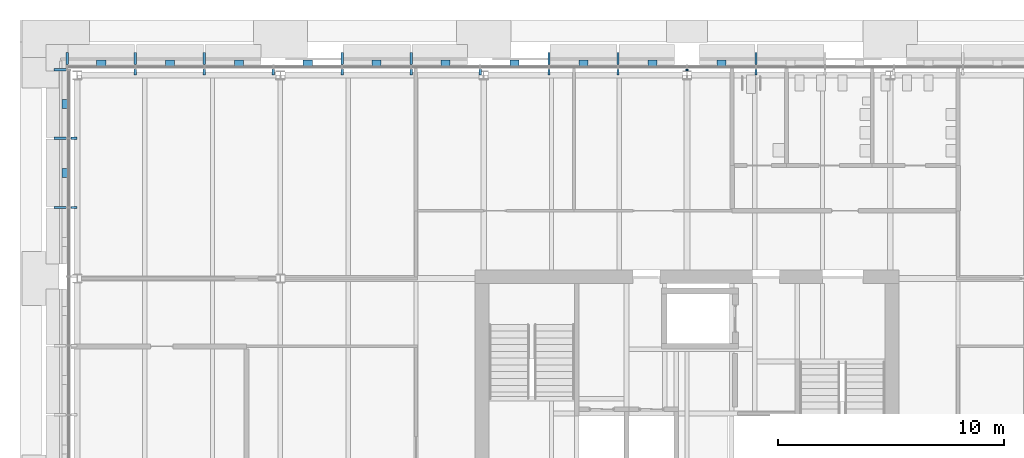
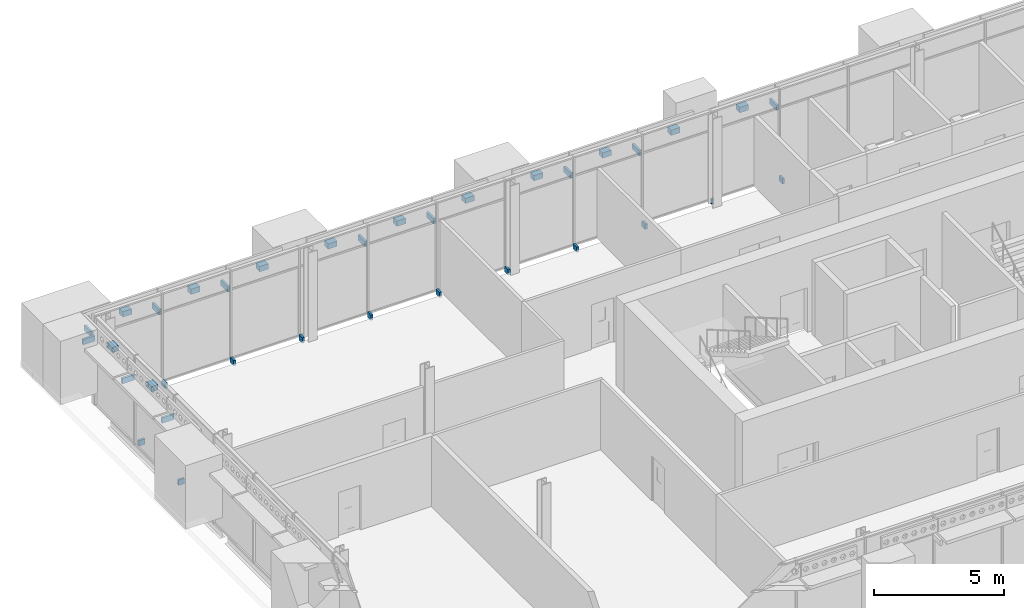
# One storey, part 135 of 153: 35 discrete accessories.
"""IFC4 building model written with IfcOpenShell, lengths in metres."""

from ifc_helpers import new_model, si_unit, direction, frame, origin, origin_2d, place, context, subcontext, project, spatial, rectangle, extrude, material, type_object, element, save


model = new_model("IFC4")

# Units and contexts
model_context = context("Model", 3, precision=1e-05, world=origin(), true_north=direction((0.0, 1.0)))
body_context = subcontext(model_context, "Body", "Model", "MODEL_VIEW")
ifc_project = project(units=[si_unit("LENGTHUNIT", "METRE"), si_unit("AREAUNIT", "SQUARE_METRE"), si_unit("VOLUMEUNIT", "CUBIC_METRE"), si_unit("PLANEANGLEUNIT", "RADIAN"), si_unit("MASSUNIT", "GRAM", prefix="KILO")], contexts=[model_context])

# Site, building, storey
site_placement = place(None, origin())
site = spatial("IfcSite", under=ifc_project, at=site_placement, CompositionType="ELEMENT")
building_placement = place(site_placement, origin())
building = spatial("IfcBuilding", under=site, at=building_placement, Name="Baradari Gate Terminus", CompositionType="ELEMENT")
storey_placement = place(building_placement, frame((0.0, 0.0, 11.699951171875)))
storey = spatial("IfcBuildingStorey", under=building, at=storey_placement, Name="L02", CompositionType="ELEMENT", Elevation=11.699951171875)

# Discrete accessories
ifc_material_1 = material(Name="Steel S275", Category="steel")
discrete_accessory_type_1 = type_object("IfcDiscreteAccessoryType", Name="Chhajja bracket BK-3 galvanised steel", PredefinedType="BRACKET", material=ifc_material_1)
for number, where, z_axis, x_axis, name in (
    (1, (8.5625, 144.739990234375, 3.08251953125), (0.0, 0.0, 1.0), (0.0, 1.0, 0.0), "Chhajja bracket BK-3 L02/TN mullion 1"),
    (2, (11.582275390625, 144.739990234375, 3.08251953125), (0.0, 0.0, 1.0), (0.0, 1.0, 0.0), "Chhajja bracket BK-3 L02/TN mullion 2"),
    (3, (14.634521484375, 144.739990234375, 3.08251953125), (0.0, 0.0, 1.0), (0.0, 1.0, 0.0), "Chhajja bracket BK-3 L02/TN mullion 3"),
    (4, (20.73876953125, 144.739990234375, 3.08251953125), (0.0, 0.0, 1.0), (0.0, 1.0, 0.0), "Chhajja bracket BK-3 L02/TN mullion 5"),
    (5, (23.791015625, 144.739990234375, 3.08251953125), (0.0, 0.0, 1.0), (0.0, 1.0, 0.0), "Chhajja bracket BK-3 L02/TN mullion 6"),
    (6, (29.8955078125, 144.739990234375, 3.08251953125), (0.0, 0.0, 1.0), (0.0, 1.0, 0.0), "Chhajja bracket BK-3 L02/TN mullion 8"),
    (7, (32.94775390625, 144.739990234375, 3.08251953125), (0.0, 0.0, 1.0), (0.0, 1.0, 0.0), "Chhajja bracket BK-3 L02/TN mullion 9"),
    (8, (39.05224609375, 144.739990234375, 3.08251953125), (0.0, 0.0, 1.0), (0.0, 1.0, 0.0), "Chhajja bracket BK-3 L02/TN mullion 11"),
    (9, (8.260009765625, 138.14990234375, 3.08251953125), (0.0, 0.0, 1.0), (-1.0, 0.0, 0.0), "Chhajja bracket BK-3 L02/TW mullion 8"),
    (10, (8.260009765625, 141.2099609375, 3.08251953125), (0.0, 0.0, 1.0), (-1.0, 0.0, 0.0), "Chhajja bracket BK-3 L02/TW mullion 9"),
    (11, (8.260009765625, 144.237548828125, 3.08251953125), (0.0, 0.0, 1.0), (-1.0, 0.0, 0.0), "Chhajja bracket BK-3 L02/TW mullion 10"),
):
    element("IfcDiscreteAccessory", number, at=place(storey_placement, frame(where, z_axis=z_axis, x_axis=x_axis)), inside=storey, type_object=discrete_accessory_type_1, Name=name, PredefinedType="BRACKET", context=body_context, shape_type="SweptSolid", body=[
        extrude(rectangle(XDim=0.5400390625, YDim=0.10009765625, at=origin_2d()), origin(), (0.0, 0.0, 1.0), 0.25),
    ])
ifc_material_2 = material(Name="Aluminium 6063-T6", Category="aluminium")
discrete_accessory_type_2 = type_object("IfcDiscreteAccessoryType", Name="Curtain wall bracket BK-1 100x250", PredefinedType="BRACKET", material=ifc_material_2)
for number, where, z_axis, x_axis, name in (
    (12, (11.582275390625, 144.135009765625, -0.099853515625), (0.0, 0.0, 1.0), (0.0, 1.0, 0.0), "Curtain wall bracket BK-1 L02/TN mullion 2"),
    (13, (14.634521484375, 144.135009765625, -0.099853515625), (0.0, 0.0, 1.0), (0.0, 1.0, 0.0), "Curtain wall bracket BK-1 L02/TN mullion 3"),
    (14, (17.686767578125, 144.135009765625, -0.099853515625), (0.0, 0.0, 1.0), (0.0, 1.0, 0.0), "Curtain wall bracket BK-1 L02/TN mullion 4"),
    (15, (20.73876953125, 144.135009765625, -0.099853515625), (0.0, 0.0, 1.0), (0.0, 1.0, 0.0), "Curtain wall bracket BK-1 L02/TN mullion 5"),
    (16, (23.791015625, 144.135009765625, -0.099853515625), (0.0, 0.0, 1.0), (0.0, 1.0, 0.0), "Curtain wall bracket BK-1 L02/TN mullion 6"),
    (17, (26.84326171875, 144.135009765625, -0.099853515625), (0.0, 0.0, 1.0), (0.0, 1.0, 0.0), "Curtain wall bracket BK-1 L02/TN mullion 7"),
    (18, (29.8955078125, 144.135009765625, -0.099853515625), (0.0, 0.0, 1.0), (0.0, 1.0, 0.0), "Curtain wall bracket BK-1 L02/TN mullion 8"),
    (19, (32.94775390625, 144.135009765625, -0.099853515625), (0.0, 0.0, 1.0), (0.0, 1.0, 0.0), "Curtain wall bracket BK-1 L02/TN mullion 9"),
):
    element("IfcDiscreteAccessory", number, at=place(storey_placement, frame(where, z_axis=z_axis, x_axis=x_axis)), inside=storey, type_object=discrete_accessory_type_2, Name=name, PredefinedType="BRACKET", context=body_context, shape_type="SweptSolid", body=[
        extrude(rectangle(XDim=0.27001953125, YDim=0.10009765625, at=origin_2d()), origin(), (0.0, 0.0, 1.0), 0.25),
    ])
discrete_accessory_placement = place(storey_placement, frame((36.0, 144.230224609375, -0.099853515625), z_axis=(0.0, 0.0, 1.0), x_axis=(0.0, 1.0, 0.0)))
element("IfcDiscreteAccessory", 20, at=discrete_accessory_placement, inside=storey, type_object=discrete_accessory_type_2, Name="Curtain wall bracket BK-1 L02/TN mullion 10", PredefinedType="BRACKET", context=body_context, shape_type="SweptSolid", body=[
    extrude(rectangle(XDim=0.07958984375, YDim=0.10009765625, at=origin_2d()), origin(), (0.0, 0.0, 1.0), 0.25),
])
for number, where, z_axis, x_axis, name in (
    (21, (39.05224609375, 144.135009765625, -0.099853515625), (0.0, 0.0, 1.0), (0.0, 1.0, 0.0), "Curtain wall bracket BK-1 L02/TN mullion 11"),
    (22, (8.864990234375, 138.14990234375, -0.099853515625), (0.0, 0.0, 1.0), (-1.0, 0.0, 0.0), "Curtain wall bracket BK-1 L02/TW mullion 8"),
    (23, (8.864990234375, 141.2099609375, -0.099853515625), (0.0, 0.0, 1.0), (-1.0, 0.0, 0.0), "Curtain wall bracket BK-1 L02/TW mullion 9"),
):
    element("IfcDiscreteAccessory", number, at=place(storey_placement, frame(where, z_axis=z_axis, x_axis=x_axis)), inside=storey, type_object=discrete_accessory_type_2, Name=name, PredefinedType="BRACKET", context=body_context, shape_type="SweptSolid", body=[
        extrude(rectangle(XDim=0.27001953125, YDim=0.10009765625, at=origin_2d()), origin(), (0.0, 0.0, 1.0), 0.25),
    ])
ifc_material_3 = material(Name="Stainless steel 316", Category="steel")
discrete_accessory_type_3 = type_object("IfcDiscreteAccessoryType", Name="Jali screen bracket BK-2 stainless steel", PredefinedType="BRACKET", material=ifc_material_3)
for number, where, z_axis, x_axis, name in (
    (24, (10.072265625, 144.527587890625, 3.60888671875), (0.0, 0.0, 1.0), (0.0, 1.0, 0.0), "Jali screen bracket BK-2 L02/TN bay 1"),
    (25, (13.1083984375, 144.527587890625, 3.60888671875), (0.0, 0.0, 1.0), (0.0, 1.0, 0.0), "Jali screen bracket BK-2 L02/TN bay 2"),
    (26, (16.16064453125, 144.527587890625, 3.60888671875), (0.0, 0.0, 1.0), (0.0, 1.0, 0.0), "Jali screen bracket BK-2 L02/TN bay 3"),
    (27, (19.212890625, 144.527587890625, 3.60888671875), (0.0, 0.0, 1.0), (0.0, 1.0, 0.0), "Jali screen bracket BK-2 L02/TN bay 4"),
    (28, (22.264892578125, 144.527587890625, 3.60888671875), (0.0, 0.0, 1.0), (0.0, 1.0, 0.0), "Jali screen bracket BK-2 L02/TN bay 5"),
    (29, (25.317138671875, 144.527587890625, 3.60888671875), (0.0, 0.0, 1.0), (0.0, 1.0, 0.0), "Jali screen bracket BK-2 L02/TN bay 6"),
    (30, (28.369384765625, 144.527587890625, 3.60888671875), (0.0, 0.0, 1.0), (0.0, 1.0, 0.0), "Jali screen bracket BK-2 L02/TN bay 7"),
    (31, (31.421630859375, 144.527587890625, 3.60888671875), (0.0, 0.0, 1.0), (0.0, 1.0, 0.0), "Jali screen bracket BK-2 L02/TN bay 8"),
    (32, (34.473876953125, 144.527587890625, 3.60888671875), (0.0, 0.0, 1.0), (0.0, 1.0, 0.0), "Jali screen bracket BK-2 L02/TN bay 9"),
    (33, (37.526123046875, 144.527587890625, 3.60888671875), (0.0, 0.0, 1.0), (0.0, 1.0, 0.0), "Jali screen bracket BK-2 L02/TN bay 10"),
    (34, (8.472412109375, 139.679931640625, 3.60888671875), (0.0, 0.0, 1.0), (-1.0, 0.0, 0.0), "Jali screen bracket BK-2 L02/TW bay 8"),
    (35, (8.472412109375, 142.7236328125, 3.60888671875), (0.0, 0.0, 1.0), (-1.0, 0.0, 0.0), "Jali screen bracket BK-2 L02/TW bay 9"),
):
    element("IfcDiscreteAccessory", number, at=place(storey_placement, frame(where, z_axis=z_axis, x_axis=x_axis)), inside=storey, type_object=discrete_accessory_type_3, Name=name, PredefinedType="BRACKET", context=body_context, shape_type="SweptSolid", body=[
        extrude(rectangle(XDim=0.284912109375, YDim=0.39990234375, at=origin_2d()), origin(), (0.0, 0.0, 1.0), 0.25),
    ])

save(model, "model.ifc")
